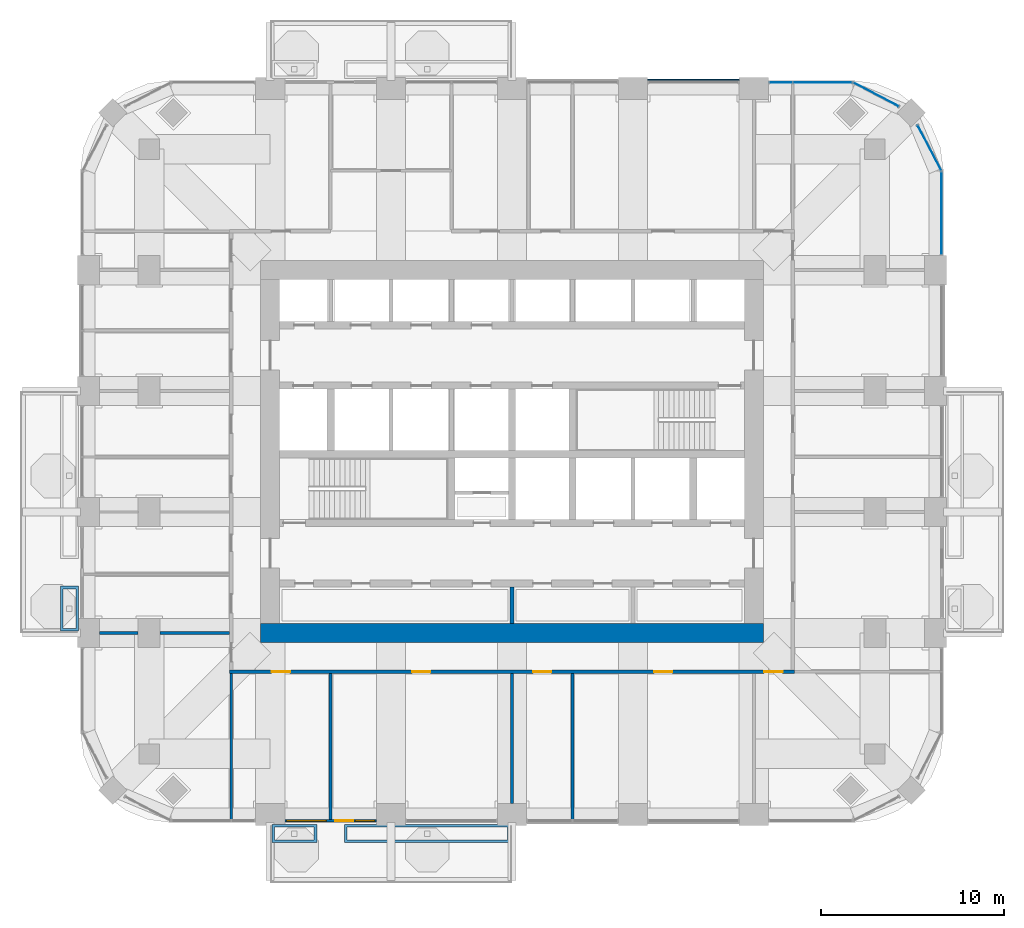
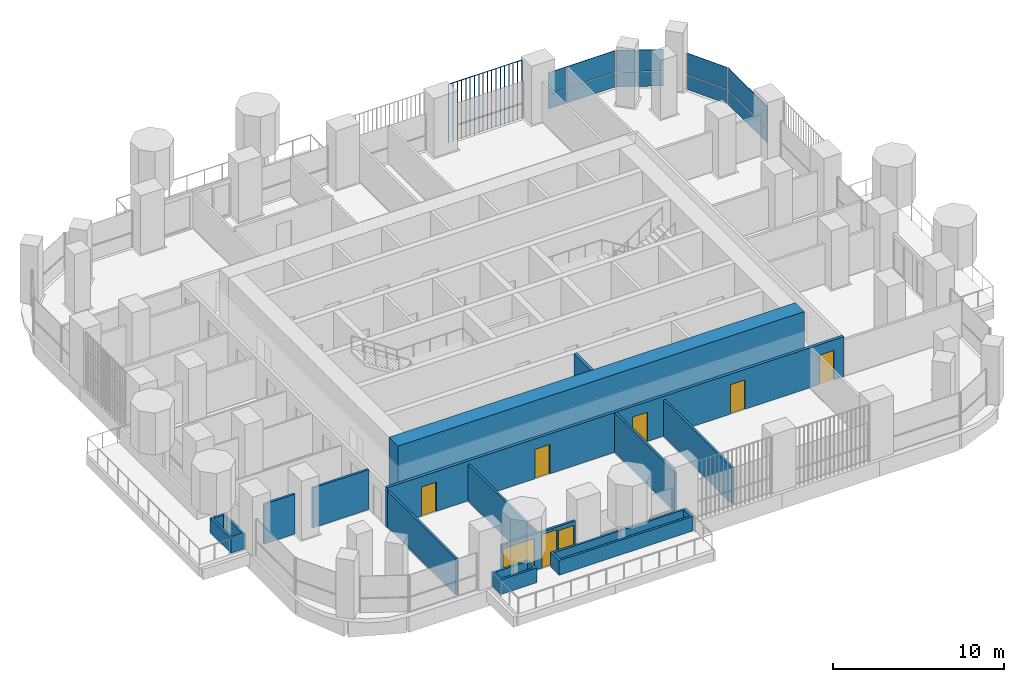
# One storey, part 11 of 20: 13 walls, 11 plates, 6 doors, 2 windows, 8 openings, 4 elements without a shape of their own.
"""IFC4 building model written with IfcOpenShell, lengths in metres."""

from ifc_helpers import new_model, si_unit, direction, frame, frame_2d, origin, origin_2d, place, context, subcontext, project, spatial, polyline, rectangle, outline, extrude, material, layer, layer_set, type_object, element, fill, aggregate, save


model = new_model("IFC4")

# Units and contexts
model_context = context("Model", 3, precision=1e-05, world=origin(), true_north=direction((0.0, 1.0)))
body_context = subcontext(model_context, "Body", "Model", "MODEL_VIEW")
ifc_project = project(units=[si_unit("LENGTHUNIT", "METRE"), si_unit("AREAUNIT", "SQUARE_METRE"), si_unit("VOLUMEUNIT", "CUBIC_METRE"), si_unit("PLANEANGLEUNIT", "RADIAN"), si_unit("MASSUNIT", "GRAM", prefix="KILO")], contexts=[model_context])

# Site, building, storey
site_placement = place(None, origin())
site = spatial("IfcSite", under=ifc_project, at=site_placement, CompositionType="ELEMENT")
building_placement = place(site_placement, origin())
building = spatial("IfcBuilding", under=site, at=building_placement, Name="Cobogo Forest Laboratory Tower", CompositionType="ELEMENT")
storey_placement = place(building_placement, frame((0.0, 0.0, 210.300048828125)))
storey = spatial("IfcBuildingStorey", under=building, at=storey_placement, Name="L48", CompositionType="ELEMENT", Elevation=210.300048828125)

# Curtain wall, plates
ifc_material_1 = material(Name="Aluminium curtain wall", Category="aluminium")
curtain_wall_type = type_object("IfcCurtainWallType", Name="CW-2 unitised curtain wall, solar control glazing, laboratory floors zones C and D", PredefinedType="USERDEFINED", material=ifc_material_1)
curtain_wall_1_placement = place(storey_placement, origin())
curtain_wall_1 = element("IfcCurtainWall", 1, at=curtain_wall_1_placement, inside=storey, type_object=curtain_wall_type, Name="Curtain wall 13 L48", ObjectType="UNITISED CURTAIN WALL", PredefinedType="USERDEFINED")
ifc_material_2 = material(Name="Solar control insulated glass", Category="glass")
ifc_layer_1 = layer(ifc_material_2, 0.031982421875)
ifc_layer_set_1 = layer_set([ifc_layer_1], Name="GP-2 solar control glass unit 32")
plate_type_1 = type_object("IfcPlateType", Name="GP-2 solar control glass unit 32", PredefinedType="CURTAIN_PANEL", material=ifc_layer_set_1)
plate_1_placement = place(storey_placement, frame((49.85009765625, 36.10009765625, 0.0), z_axis=(0.0, 0.0, 1.0), x_axis=(0.0, 1.0, 0.0)))
plate_1 = element("IfcPlate", 2, at=plate_1_placement, type_object=plate_type_1, Name="CW-2 panel 1.1", PredefinedType="CURTAIN_PANEL", context=body_context, shape_type="SweptSolid", body=[
    extrude(rectangle(XDim=4.47998046875, YDim=0.031982421875, at=origin_2d()), origin(), (0.0, 0.0, 1.0), 1.02001953125),
])
plate_2_placement = place(storey_placement, frame((49.85009765625, 36.10009765625, 1.079833984375), z_axis=(0.0, 0.0, 1.0), x_axis=(0.0, 1.0, 0.0)))
plate_2 = element("IfcPlate", 3, at=plate_2_placement, type_object=plate_type_1, Name="CW-2 panel 1.2", PredefinedType="CURTAIN_PANEL", context=body_context, shape_type="SweptSolid", body=[
    extrude(rectangle(XDim=4.47998046875, YDim=0.031982421875, at=origin_2d()), origin(), (0.0, 0.0, 1.0), 1.52001953125),
])
aggregate(curtain_wall_1, [plate_1, plate_2])

curtain_wall_2_placement = place(storey_placement, origin())
curtain_wall_2 = element("IfcCurtainWall", 4, at=curtain_wall_2_placement, inside=storey, type_object=curtain_wall_type, Name="Curtain wall 14 L48", ObjectType="UNITISED CURTAIN WALL", PredefinedType="USERDEFINED")
plate_3_placement = place(storey_placement, frame((49.181396484375, 39.675537109375, 0.0), z_axis=(0.0, 0.0, 1.0), x_axis=(-0.464283804832, 0.885686484356, 0.0)))
plate_3 = element("IfcPlate", 5, at=plate_3_placement, type_object=plate_type_1, Name="CW-2 panel 1.1", PredefinedType="CURTAIN_PANEL", context=body_context, shape_type="SweptSolid", body=[
    extrude(rectangle(XDim=2.76025390625, YDim=0.031982421875, at=origin_2d()), origin(), (0.0, 0.0, 1.0), 1.02001953125),
])
plate_4_placement = place(storey_placement, frame((49.181396484375, 39.675537109375, 1.079833984375), z_axis=(0.0, 0.0, 1.0), x_axis=(-0.464283804832, 0.885686484356, 0.0)))
plate_4 = element("IfcPlate", 6, at=plate_4_placement, type_object=plate_type_1, Name="CW-2 panel 1.2", PredefinedType="CURTAIN_PANEL", context=body_context, shape_type="SweptSolid", body=[
    extrude(rectangle(XDim=2.76025390625, YDim=0.031982421875, at=origin_2d()), origin(), (0.0, 0.0, 1.0), 1.52001953125),
])
aggregate(curtain_wall_2, [plate_3, plate_4])

curtain_wall_3_placement = place(storey_placement, origin())
curtain_wall_3 = element("IfcCurtainWall", 7, at=curtain_wall_3_placement, inside=storey, type_object=curtain_wall_type, Name="Curtain wall 15 L48", ObjectType="UNITISED CURTAIN WALL", PredefinedType="USERDEFINED")
plate_5_placement = place(storey_placement, frame((46.275634765625, 42.581298828125, 0.0), z_axis=(0.0, 0.0, 1.0), x_axis=(-0.885686484356, 0.464283804832, 0.0)))
plate_5 = element("IfcPlate", 8, at=plate_5_placement, type_object=plate_type_1, Name="CW-2 panel 1.1", PredefinedType="CURTAIN_PANEL", context=body_context, shape_type="SweptSolid", body=[
    extrude(rectangle(XDim=2.76025390625, YDim=0.031982421875, at=origin_2d()), origin(), (0.0, 0.0, 1.0), 1.02001953125),
])
plate_6_placement = place(storey_placement, frame((46.275634765625, 42.581298828125, 1.079833984375), z_axis=(0.0, 0.0, 1.0), x_axis=(-0.885686484356, 0.464283804832, 0.0)))
plate_6 = element("IfcPlate", 9, at=plate_6_placement, type_object=plate_type_1, Name="CW-2 panel 1.2", PredefinedType="CURTAIN_PANEL", context=body_context, shape_type="SweptSolid", body=[
    extrude(rectangle(XDim=2.76025390625, YDim=0.031982421875, at=origin_2d()), origin(), (0.0, 0.0, 1.0), 1.52001953125),
])
aggregate(curtain_wall_3, [plate_5, plate_6])

curtain_wall_4_placement = place(storey_placement, origin())
curtain_wall_4 = element("IfcCurtainWall", 10, at=curtain_wall_4_placement, inside=storey, type_object=curtain_wall_type, Name="Curtain wall 16 L48", ObjectType="UNITISED CURTAIN WALL", PredefinedType="USERDEFINED")
plate_7_placement = place(storey_placement, frame((43.347412109375, 43.25, 0.0), z_axis=(0.0, 0.0, 1.0), x_axis=(-1.0, 0.0, 0.0)))
plate_7 = element("IfcPlate", 11, at=plate_7_placement, type_object=plate_type_1, Name="CW-2 panel 1.1", PredefinedType="CURTAIN_PANEL", context=body_context, shape_type="SweptSolid", body=[
    extrude(rectangle(XDim=3.18505859375, YDim=0.031982421875, at=origin_2d()), origin(), (0.0, 0.0, 1.0), 1.02001953125),
])
plate_8_placement = place(storey_placement, frame((43.347412109375, 43.25, 1.079833984375), z_axis=(0.0, 0.0, 1.0), x_axis=(-1.0, 0.0, 0.0)))
plate_8 = element("IfcPlate", 12, at=plate_8_placement, type_object=plate_type_1, Name="CW-2 panel 1.2", PredefinedType="CURTAIN_PANEL", context=body_context, shape_type="SweptSolid", body=[
    extrude(rectangle(XDim=3.18505859375, YDim=0.031982421875, at=origin_2d()), origin(), (0.0, 0.0, 1.0), 1.52001953125),
])
plate_9_placement = place(storey_placement, frame((41.077392578125, 43.25, 0.0), z_axis=(0.0, 0.0, 1.0), x_axis=(-1.0, 0.0, 0.0)))
plate_9 = element("IfcPlate", 13, at=plate_9_placement, type_object=plate_type_1, Name="CW-2 panel 2.1", PredefinedType="CURTAIN_PANEL", context=body_context, shape_type="SweptSolid", body=[
    extrude(rectangle(XDim=1.235107421875, YDim=0.031982421875, at=origin_2d()), origin(), (0.0, 0.0, 1.0), 1.02001953125),
])
plate_10_placement = place(storey_placement, frame((41.077392578125, 43.25, 1.079833984375), z_axis=(0.0, 0.0, 1.0), x_axis=(-1.0, 0.0, 0.0)))
plate_10 = element("IfcPlate", 14, at=plate_10_placement, type_object=plate_type_1, Name="CW-2 panel 2.2", PredefinedType="CURTAIN_PANEL", context=body_context, shape_type="SweptSolid", body=[
    extrude(rectangle(XDim=1.235107421875, YDim=0.031982421875, at=origin_2d()), origin(), (0.0, 0.0, 1.0), 1.52001953125),
])
aggregate(curtain_wall_4, [plate_7, plate_8, plate_9, plate_10])

# Plate
ifc_material_3 = material(Name="Terracotta", Category="masonry")
plate_type_2 = type_object("IfcPlateType", Name="TB1 terracotta baguette screen", PredefinedType="USERDEFINED", material=ifc_material_3)
plate_11_placement = place(storey_placement, frame((33.831298828125, 43.3779296875, -0.150146484375)))
element("IfcPlate", 15, at=plate_11_placement, inside=storey, type_object=plate_type_2, Name="Baguette screen N4 L48", ObjectType="BAGUETTE SCREEN", PredefinedType="USERDEFINED", context=body_context, shape_type="SweptSolid", body=[
    extrude(outline(polyline([(0.02880859375, 0.011962890625), (0.011962890625, 0.02880859375), (-0.011962890625, 0.02880859375), (-0.02880859375, 0.011962890625), (-0.02880859375, -0.011962890625), (-0.011962890625, -0.02880859375), (0.011962890625, -0.02880859375), (0.02880859375, -0.011962890625), (0.02880859375, 0.011962890625)])), frame((0.0, 0.0, 4.168701171875), z_axis=(1.0, 0.0, 0.0), x_axis=(0.0, 1.0, 0.0)), (0.0, 0.0, 1.0), 4.9375),
    extrude(outline(polyline([(0.02880859375, 0.011962890625), (0.011962890625, 0.02880859375), (-0.011962890625, 0.02880859375), (-0.02880859375, 0.011962890625), (-0.02880859375, -0.011962890625), (-0.011962890625, -0.02880859375), (0.011962890625, -0.02880859375), (0.02880859375, -0.011962890625), (0.02880859375, 0.011962890625)])), origin(), (0.0, 0.0, 1.0), 4.137451171875),
    extrude(outline(polyline([(0.02880859375, 0.011962890625), (0.011962890625, 0.02880859375), (-0.011962890625, 0.02880859375), (-0.02880859375, 0.011962890625), (-0.02880859375, -0.011962890625), (-0.011962890625, -0.02880859375), (0.011962890625, -0.02880859375), (0.02880859375, -0.011962890625), (0.02880859375, 0.011962890625)])), frame((0.29052734375, 0.0, 0.0)), (0.0, 0.0, 1.0), 4.137451171875),
    extrude(outline(polyline([(0.02880859375, 0.011962890625), (0.011962890625, 0.02880859375), (-0.011962890625, 0.02880859375), (-0.02880859375, 0.011962890625), (-0.02880859375, -0.011962890625), (-0.011962890625, -0.02880859375), (0.011962890625, -0.02880859375), (0.02880859375, -0.011962890625), (0.02880859375, 0.011962890625)])), frame((0.580810546875, 0.0, 0.0)), (0.0, 0.0, 1.0), 4.137451171875),
    extrude(outline(polyline([(0.02880859375, 0.011962890625), (0.011962890625, 0.02880859375), (-0.011962890625, 0.02880859375), (-0.02880859375, 0.011962890625), (-0.02880859375, -0.011962890625), (-0.011962890625, -0.02880859375), (0.011962890625, -0.02880859375), (0.02880859375, -0.011962890625), (0.02880859375, 0.011962890625)])), frame((0.871337890625, 0.0, 0.0)), (0.0, 0.0, 1.0), 4.137451171875),
    extrude(outline(polyline([(0.02880859375, 0.011962890625), (0.011962890625, 0.02880859375), (-0.011962890625, 0.02880859375), (-0.02880859375, 0.011962890625), (-0.02880859375, -0.011962890625), (-0.011962890625, -0.02880859375), (0.011962890625, -0.02880859375), (0.02880859375, -0.011962890625), (0.02880859375, 0.011962890625)])), frame((1.161865234375, 0.0, 0.0)), (0.0, 0.0, 1.0), 4.137451171875),
    extrude(outline(polyline([(0.02880859375, 0.011962890625), (0.011962890625, 0.02880859375), (-0.011962890625, 0.02880859375), (-0.02880859375, 0.011962890625), (-0.02880859375, -0.011962890625), (-0.011962890625, -0.02880859375), (0.011962890625, -0.02880859375), (0.02880859375, -0.011962890625), (0.02880859375, 0.011962890625)])), frame((1.4521484375, 0.0, 0.0)), (0.0, 0.0, 1.0), 4.137451171875),
    extrude(outline(polyline([(0.02880859375, 0.011962890625), (0.011962890625, 0.02880859375), (-0.011962890625, 0.02880859375), (-0.02880859375, 0.011962890625), (-0.02880859375, -0.011962890625), (-0.011962890625, -0.02880859375), (0.011962890625, -0.02880859375), (0.02880859375, -0.011962890625), (0.02880859375, 0.011962890625)])), frame((1.74267578125, 0.0, 0.0)), (0.0, 0.0, 1.0), 4.137451171875),
    extrude(outline(polyline([(0.02880859375, 0.011962890625), (0.011962890625, 0.02880859375), (-0.011962890625, 0.02880859375), (-0.02880859375, 0.011962890625), (-0.02880859375, -0.011962890625), (-0.011962890625, -0.02880859375), (0.011962890625, -0.02880859375), (0.02880859375, -0.011962890625), (0.02880859375, 0.011962890625)])), frame((2.033203125, 0.0, 0.0)), (0.0, 0.0, 1.0), 4.137451171875),
    extrude(outline(polyline([(0.02880859375, 0.011962890625), (0.011962890625, 0.02880859375), (-0.011962890625, 0.02880859375), (-0.02880859375, 0.011962890625), (-0.02880859375, -0.011962890625), (-0.011962890625, -0.02880859375), (0.011962890625, -0.02880859375), (0.02880859375, -0.011962890625), (0.02880859375, 0.011962890625)])), frame((2.323486328125, 0.0, 0.0)), (0.0, 0.0, 1.0), 4.137451171875),
    extrude(outline(polyline([(0.02880859375, 0.011962890625), (0.011962890625, 0.02880859375), (-0.011962890625, 0.02880859375), (-0.02880859375, 0.011962890625), (-0.02880859375, -0.011962890625), (-0.011962890625, -0.02880859375), (0.011962890625, -0.02880859375), (0.02880859375, -0.011962890625), (0.02880859375, 0.011962890625)])), frame((2.614013671875, 0.0, 0.0)), (0.0, 0.0, 1.0), 4.137451171875),
    extrude(outline(polyline([(0.02880859375, 0.011962890625), (0.011962890625, 0.02880859375), (-0.011962890625, 0.02880859375), (-0.02880859375, 0.011962890625), (-0.02880859375, -0.011962890625), (-0.011962890625, -0.02880859375), (0.011962890625, -0.02880859375), (0.02880859375, -0.011962890625), (0.02880859375, 0.011962890625)])), frame((2.904296875, 0.0, 0.0)), (0.0, 0.0, 1.0), 4.137451171875),
    extrude(outline(polyline([(0.02880859375, 0.011962890625), (0.011962890625, 0.02880859375), (-0.011962890625, 0.02880859375), (-0.02880859375, 0.011962890625), (-0.02880859375, -0.011962890625), (-0.011962890625, -0.02880859375), (0.011962890625, -0.02880859375), (0.02880859375, -0.011962890625), (0.02880859375, 0.011962890625)])), frame((3.19482421875, 0.0, 0.0)), (0.0, 0.0, 1.0), 4.137451171875),
    extrude(outline(polyline([(0.02880859375, 0.011962890625), (0.011962890625, 0.02880859375), (-0.011962890625, 0.02880859375), (-0.02880859375, 0.011962890625), (-0.02880859375, -0.011962890625), (-0.011962890625, -0.02880859375), (0.011962890625, -0.02880859375), (0.02880859375, -0.011962890625), (0.02880859375, 0.011962890625)])), frame((3.4853515625, 0.0, 0.0)), (0.0, 0.0, 1.0), 4.137451171875),
    extrude(outline(polyline([(0.02880859375, 0.011962890625), (0.011962890625, 0.02880859375), (-0.011962890625, 0.02880859375), (-0.02880859375, 0.011962890625), (-0.02880859375, -0.011962890625), (-0.011962890625, -0.02880859375), (0.011962890625, -0.02880859375), (0.02880859375, -0.011962890625), (0.02880859375, 0.011962890625)])), frame((3.775634765625, 0.0, 0.0)), (0.0, 0.0, 1.0), 4.137451171875),
    extrude(outline(polyline([(0.02880859375, 0.011962890625), (0.011962890625, 0.02880859375), (-0.011962890625, 0.02880859375), (-0.02880859375, 0.011962890625), (-0.02880859375, -0.011962890625), (-0.011962890625, -0.02880859375), (0.011962890625, -0.02880859375), (0.02880859375, -0.011962890625), (0.02880859375, 0.011962890625)])), frame((4.066162109375, 0.0, 0.0)), (0.0, 0.0, 1.0), 4.137451171875),
    extrude(outline(polyline([(0.02880859375, 0.011962890625), (0.011962890625, 0.02880859375), (-0.011962890625, 0.02880859375), (-0.02880859375, 0.011962890625), (-0.02880859375, -0.011962890625), (-0.011962890625, -0.02880859375), (0.011962890625, -0.02880859375), (0.02880859375, -0.011962890625), (0.02880859375, 0.011962890625)])), frame((4.356689453125, 0.0, 0.0)), (0.0, 0.0, 1.0), 4.137451171875),
    extrude(outline(polyline([(0.02880859375, 0.011962890625), (0.011962890625, 0.02880859375), (-0.011962890625, 0.02880859375), (-0.02880859375, 0.011962890625), (-0.02880859375, -0.011962890625), (-0.011962890625, -0.02880859375), (0.011962890625, -0.02880859375), (0.02880859375, -0.011962890625), (0.02880859375, 0.011962890625)])), frame((4.64697265625, 0.0, 0.0)), (0.0, 0.0, 1.0), 4.137451171875),
    extrude(outline(polyline([(0.02880859375, 0.011962890625), (0.011962890625, 0.02880859375), (-0.011962890625, 0.02880859375), (-0.02880859375, 0.011962890625), (-0.02880859375, -0.011962890625), (-0.011962890625, -0.02880859375), (0.011962890625, -0.02880859375), (0.02880859375, -0.011962890625), (0.02880859375, 0.011962890625)])), frame((4.9375, 0.0, 0.0)), (0.0, 0.0, 1.0), 4.137451171875),
])

# Wall
ifc_material_4 = material(Name="Concrete HA-50 (C50/60)", Category="concrete")
ifc_layer_2 = layer(ifc_material_4, 1.050048828125)
ifc_layer_set_2 = layer_set([ifc_layer_2], Name="CW1050 core outer wall 1050")
wall_type_1 = type_object("IfcWallType", Name="CW1050 core outer wall 1050", PredefinedType="SHEAR", material=ifc_layer_set_2)
wall_1_placement = place(storey_placement, frame((12.675048828125, 13.199951171875, 0.0), z_axis=(0.0, 0.0, 1.0), x_axis=(1.0, 0.0, 0.0)))
element("IfcWall", 16, at=wall_1_placement, inside=storey, type_object=wall_type_1, Name="Core wall CO-S L48", PredefinedType="SHEAR", context=body_context, shape_type="SweptSolid", body=[
    extrude(rectangle(XDim=27.449951171875, YDim=1.050048828125, at=frame_2d((13.72509765625, 0.0))), origin(), (0.0, 0.0, 1.0), 4.199951171875),
])

# Wall, openings, door, windows
ifc_material_5 = material(Name="Aluminium framed glazed screen", Category="aluminium")
ifc_layer_3 = layer(ifc_material_5, 0.14990234375)
ifc_layer_set_3 = layer_set([ifc_layer_3], Name="GS1 glazed door screen 150")
wall_type_2 = type_object("IfcWallType", Name="GS1 glazed door screen 150", PredefinedType="SOLIDWALL", material=ifc_layer_set_3)
wall_2_placement = place(storey_placement, frame((14.0, 2.949951171875, 0.0), z_axis=(0.0, 0.0, 1.0), x_axis=(1.0, 0.0, 0.0)))
wall_2 = element("IfcWall", 17, at=wall_2_placement, inside=storey, type_object=wall_type_2, Name="Door screen BAL-S1 L48", PredefinedType="SOLIDWALL", context=body_context, shape_type="SweptSolid", body=[
    extrude(rectangle(XDim=5.0, YDim=0.14990234375, at=frame_2d((2.5, 0.0))), origin(), (0.0, 0.0, 1.0), 2.599853515625),
])
opening_1_placement = place(wall_2_placement, frame((2.75, 0.0, 0.0)))
opening_1 = element("IfcOpeningElement", 18, at=opening_1_placement, cuts=wall_2, Name="Opening L48-D01", PredefinedType="OPENING", context=body_context, shape_type="SweptSolid", body=[
    extrude(rectangle(XDim=1.0, YDim=2.39990234375, at=frame_2d((0.5, 1.199951171875))), frame((0.0, 0.0849609375, 0.0), z_axis=(0.0, -1.0, 0.0), x_axis=(1.0, 0.0, 0.0)), (0.0, 0.0, 1.0), 0.169921875),
])
opening_2_placement = place(wall_2_placement, frame((0.10009765625, 0.0, 0.10009765625)))
opening_2 = element("IfcOpeningElement", 19, at=opening_2_placement, cuts=wall_2, Name="Opening L48-W01", PredefinedType="OPENING", context=body_context, shape_type="SweptSolid", body=[
    extrude(rectangle(XDim=2.14990234375, YDim=2.199951171875, at=frame_2d((1.074951171875, 1.10009765625))), frame((0.0, 0.0849609375, 0.0), z_axis=(0.0, -1.0, 0.0), x_axis=(1.0, 0.0, 0.0)), (0.0, 0.0, 1.0), 0.169921875),
])
opening_3_placement = place(wall_2_placement, frame((3.85009765625, 0.0, 0.10009765625)))
opening_3 = element("IfcOpeningElement", 20, at=opening_3_placement, cuts=wall_2, Name="Opening L48-W02", PredefinedType="OPENING", context=body_context, shape_type="SweptSolid", body=[
    extrude(rectangle(XDim=1.050048828125, YDim=2.199951171875, at=frame_2d((0.52490234375, 1.10009765625))), frame((0.0, 0.0849609375, 0.0), z_axis=(0.0, -1.0, 0.0), x_axis=(1.0, 0.0, 0.0)), (0.0, 0.0, 1.0), 0.169921875),
])
ifc_material_6 = material(Name="Aluminium glazed door", Category="aluminium")
door_type_1 = type_object("IfcDoorType", Name="DB1 balcony door 1000 glazed", OperationType="SINGLE_SWING_LEFT", PredefinedType="DOOR", material=ifc_material_6)
door_1_placement = place(opening_1_placement, origin())
door_1 = element("IfcDoor", 21, at=door_1_placement, inside=storey, type_object=door_type_1, Name="Door L48-BAL-S1", OperationType="SINGLE_SWING_RIGHT", OverallHeight=2.39990234375, OverallWidth=1.0, PredefinedType="DOOR", context=body_context, shape_type="SweptSolid", body=[
    extrude(rectangle(XDim=1.0, YDim=2.39990234375, at=frame_2d((0.5, 1.199951171875))), frame((0.0, 0.02490234375, 0.0), z_axis=(0.0, -1.0, 0.0), x_axis=(1.0, 0.0, 0.0)), (0.0, 0.0, 1.0), 0.050048828125),
])
fill(opening_1, door_1)
ifc_material_7 = material(Name="Aluminium framed glazing", Category="aluminium")
window_type_1 = type_object("IfcWindowType", Name="WG17 fixed glazed light 2150x2200", PartitioningType="SINGLE_PANEL", PredefinedType="WINDOW", material=ifc_material_7)
window_1_placement = place(opening_2_placement, origin())
window_1 = element("IfcWindow", 22, at=window_1_placement, inside=storey, type_object=window_type_1, Name="Window L48-BAL-S1-1", OverallHeight=2.199951171875, OverallWidth=2.14990234375, PartitioningType="SINGLE_PANEL", PredefinedType="WINDOW", context=body_context, shape_type="SweptSolid", body=[
    extrude(rectangle(XDim=2.14990234375, YDim=2.199951171875, at=frame_2d((1.074951171875, 1.10009765625))), frame((0.0, 0.030029296875, 0.0), z_axis=(0.0, -1.0, 0.0), x_axis=(1.0, 0.0, 0.0)), (0.0, 0.0, 1.0), 0.06005859375),
])
fill(opening_2, window_1)
window_type_2 = type_object("IfcWindowType", Name="WG18 fixed glazed light 1050x2200", PartitioningType="SINGLE_PANEL", PredefinedType="WINDOW", material=ifc_material_7)
window_2_placement = place(opening_3_placement, origin())
window_2 = element("IfcWindow", 23, at=window_2_placement, inside=storey, type_object=window_type_2, Name="Window L48-BAL-S1-2", OverallHeight=2.199951171875, OverallWidth=1.050048828125, PartitioningType="SINGLE_PANEL", PredefinedType="WINDOW", context=body_context, shape_type="SweptSolid", body=[
    extrude(rectangle(XDim=1.050048828125, YDim=2.199951171875, at=frame_2d((0.52490234375, 1.10009765625))), frame((0.0, 0.030029296875, 0.0), z_axis=(0.0, -1.0, 0.0), x_axis=(1.0, 0.0, 0.0)), (0.0, 0.0, 1.0), 0.06005859375),
])
fill(opening_3, window_2)

# Walls
ifc_material_8 = material(Name="Gypsum board on steel studs", Category="steel")
ifc_layer_4 = layer(ifc_material_8, 0.14990234375)
ifc_layer_set_4 = layer_set([ifc_layer_4], Name="PT1 laboratory partition 150")
wall_type_3 = type_object("IfcWallType", Name="PT1 laboratory partition 150", PredefinedType="PARTITIONING", material=ifc_layer_set_4)
for number, where, z_axis, x_axis, name in (
    (24, (11.074951171875, 3.030029296875, 0.0), (0.0, 0.0, 1.0), (0.0, 1.0, 0.0), "Partition PW-SW L48"),
    (25, (16.5, 3.030029296875, 0.0), (0.0, 0.0, 1.0), (0.0, 1.0, 0.0), "Partition CUT-S16.5-1 L48"),
):
    element("IfcWall", number, at=place(storey_placement, frame(where, z_axis=z_axis, x_axis=x_axis)), inside=storey, type_object=wall_type_3, Name=name, PredefinedType="PARTITIONING", context=body_context, shape_type="SweptSolid", body=[
        extrude(rectangle(XDim=7.945068359375, YDim=0.14990234375, at=frame_2d((3.97265625, 0.0))), origin(), (0.0, 0.0, 1.0), 2.599853515625),
    ])
wall_3_placement = place(storey_placement, frame((26.39990234375, 3.89990234375, 0.0), z_axis=(0.0, 0.0, 1.0), x_axis=(0.0, 1.0, 0.0)))
element("IfcWall", 26, at=wall_3_placement, inside=storey, type_object=wall_type_3, Name="Partition CUT-S26.4-1 L48", PredefinedType="PARTITIONING", context=body_context, shape_type="SweptSolid", body=[
    extrude(rectangle(XDim=7.0751953125, YDim=0.14990234375, at=frame_2d((3.53759765625, 0.0))), origin(), (0.0, 0.0, 1.0), 2.849853515625),
])
wall_4_placement = place(storey_placement, frame((29.699951171875, 3.030029296875, 0.0), z_axis=(0.0, 0.0, 1.0), x_axis=(0.0, 1.0, 0.0)))
element("IfcWall", 27, at=wall_4_placement, inside=storey, type_object=wall_type_3, Name="Partition CUT-S29.7-1 L48", PredefinedType="PARTITIONING", context=body_context, shape_type="SweptSolid", body=[
    extrude(rectangle(XDim=7.945068359375, YDim=0.14990234375, at=frame_2d((3.97265625, 0.0))), origin(), (0.0, 0.0, 1.0), 2.599853515625),
])
wall_5_placement = place(storey_placement, frame((3.89990234375, 13.199951171875, 0.0), z_axis=(0.0, 0.0, 1.0), x_axis=(1.0, 0.0, 0.0)))
element("IfcWall", 28, at=wall_5_placement, inside=storey, type_object=wall_type_3, Name="Partition CUT-W13.2-1 L48", PredefinedType="PARTITIONING", context=body_context, shape_type="SweptSolid", body=[
    extrude(rectangle(XDim=2.10009765625, YDim=0.14990234375, at=frame_2d((1.050048828125, 0.0))), origin(), (0.0, 0.0, 1.0), 2.849853515625),
])
wall_6_placement = place(storey_placement, frame((7.199951171875, 13.199951171875, 0.0), z_axis=(0.0, 0.0, 1.0), x_axis=(1.0, 0.0, 0.0)))
element("IfcWall", 29, at=wall_6_placement, inside=storey, type_object=wall_type_3, Name="Partition CUT-W13.2-2 L48", PredefinedType="PARTITIONING", context=body_context, shape_type="SweptSolid", body=[
    extrude(rectangle(XDim=3.775146484375, YDim=0.14990234375, at=frame_2d((1.8876953125, 0.0))), origin(), (0.0, 0.0, 1.0), 2.849853515625),
])

# Wall, openings, doors
ifc_layer_5 = layer(ifc_material_8, 0.199951171875)
ifc_layer_set_5 = layer_set([ifc_layer_5], Name="PT2 fire-rated corridor partition 200")
wall_type_4 = type_object("IfcWallType", Name="PT2 fire-rated corridor partition 200", PredefinedType="PARTITIONING", material=ifc_layer_set_5)
wall_7_placement = place(storey_placement, frame((10.97509765625, 11.074951171875, 0.0), z_axis=(0.0, 0.0, 1.0), x_axis=(1.0, 0.0, 0.0)))
wall_7 = element("IfcWall", 30, at=wall_7_placement, inside=storey, type_object=wall_type_4, Name="Partition CORR-S L48", PredefinedType="PARTITIONING", context=body_context, shape_type="SweptSolid", body=[
    extrude(rectangle(XDim=30.849853515625, YDim=0.199951171875, at=frame_2d((15.4248046875, 0.0))), origin(), (0.0, 0.0, 1.0), 2.849853515625),
])
opening_4_placement = place(wall_7_placement, frame((2.3125, 0.0, 0.0)))
opening_4 = element("IfcOpeningElement", 31, at=opening_4_placement, cuts=wall_7, Name="Opening L48-D02", PredefinedType="OPENING", context=body_context, shape_type="SweptSolid", body=[
    extrude(rectangle(XDim=1.0, YDim=2.10009765625, at=frame_2d((0.5, 1.050048828125))), frame((0.0, 0.10986328125, 0.0), z_axis=(0.0, -1.0, 0.0), x_axis=(1.0, 0.0, 0.0)), (0.0, 0.0, 1.0), 0.219970703125),
])
opening_5_placement = place(wall_7_placement, frame((9.97509765625, 0.0, 0.0)))
opening_5 = element("IfcOpeningElement", 32, at=opening_5_placement, cuts=wall_7, Name="Opening L48-D03", PredefinedType="OPENING", context=body_context, shape_type="SweptSolid", body=[
    extrude(rectangle(XDim=1.0, YDim=2.10009765625, at=frame_2d((0.5, 1.050048828125))), frame((0.0, 0.10986328125, 0.0), z_axis=(0.0, -1.0, 0.0), x_axis=(1.0, 0.0, 0.0)), (0.0, 0.0, 1.0), 0.219970703125),
])
opening_6_placement = place(wall_7_placement, frame((16.574951171875, 0.0, 0.0)))
opening_6 = element("IfcOpeningElement", 33, at=opening_6_placement, cuts=wall_7, Name="Opening L48-D04", PredefinedType="OPENING", context=body_context, shape_type="SweptSolid", body=[
    extrude(rectangle(XDim=1.0, YDim=2.10009765625, at=frame_2d((0.5, 1.050048828125))), frame((0.0, 0.10986328125, 0.0), z_axis=(0.0, -1.0, 0.0), x_axis=(1.0, 0.0, 0.0)), (0.0, 0.0, 1.0), 0.219970703125),
])
opening_7_placement = place(wall_7_placement, frame((23.175048828125, 0.0, 0.0)))
opening_7 = element("IfcOpeningElement", 34, at=opening_7_placement, cuts=wall_7, Name="Opening L48-D05", PredefinedType="OPENING", context=body_context, shape_type="SweptSolid", body=[
    extrude(rectangle(XDim=1.0, YDim=2.10009765625, at=frame_2d((0.5, 1.050048828125))), frame((0.0, 0.10986328125, 0.0), z_axis=(0.0, -1.0, 0.0), x_axis=(1.0, 0.0, 0.0)), (0.0, 0.0, 1.0), 0.219970703125),
])
opening_8_placement = place(wall_7_placement, frame((29.1875, 0.0, 0.0)))
opening_8 = element("IfcOpeningElement", 35, at=opening_8_placement, cuts=wall_7, Name="Opening L48-D06", PredefinedType="OPENING", context=body_context, shape_type="SweptSolid", body=[
    extrude(rectangle(XDim=1.0, YDim=2.10009765625, at=frame_2d((0.5, 1.050048828125))), frame((0.0, 0.10986328125, 0.0), z_axis=(0.0, -1.0, 0.0), x_axis=(1.0, 0.0, 0.0)), (0.0, 0.0, 1.0), 0.219970703125),
])
ifc_material_9 = material(Name="Timber fire door", Category="wood")
door_type_2 = type_object("IfcDoorType", Name="FD2 fire door 1000 EI2 30", OperationType="SINGLE_SWING_LEFT", PredefinedType="DOOR", material=ifc_material_9)
door_2_placement = place(opening_4_placement, origin())
door_2 = element("IfcDoor", 36, at=door_2_placement, inside=storey, type_object=door_type_2, Name="Door L48-S1", OperationType="SINGLE_SWING_LEFT", OverallHeight=2.10009765625, OverallWidth=1.0, PredefinedType="DOOR", context=body_context, shape_type="SweptSolid", body=[
    extrude(rectangle(XDim=1.0, YDim=2.10009765625, at=frame_2d((0.5, 1.050048828125))), frame((0.0, 0.02490234375, 0.0), z_axis=(0.0, -1.0, 0.0), x_axis=(1.0, 0.0, 0.0)), (0.0, 0.0, 1.0), 0.050048828125),
])
fill(opening_4, door_2)
door_3_placement = place(opening_5_placement, origin())
door_3 = element("IfcDoor", 37, at=door_3_placement, inside=storey, type_object=door_type_2, Name="Door L48-S2", OperationType="SINGLE_SWING_LEFT", OverallHeight=2.10009765625, OverallWidth=1.0, PredefinedType="DOOR", context=body_context, shape_type="SweptSolid", body=[
    extrude(rectangle(XDim=1.0, YDim=2.10009765625, at=frame_2d((0.5, 1.050048828125))), frame((0.0, 0.02490234375, 0.0), z_axis=(0.0, -1.0, 0.0), x_axis=(1.0, 0.0, 0.0)), (0.0, 0.0, 1.0), 0.050048828125),
])
fill(opening_5, door_3)
door_4_placement = place(opening_6_placement, origin())
door_4 = element("IfcDoor", 38, at=door_4_placement, inside=storey, type_object=door_type_2, Name="Door L48-S3", OperationType="SINGLE_SWING_RIGHT", OverallHeight=2.10009765625, OverallWidth=1.0, PredefinedType="DOOR", context=body_context, shape_type="SweptSolid", body=[
    extrude(rectangle(XDim=1.0, YDim=2.10009765625, at=frame_2d((0.5, 1.050048828125))), frame((0.0, 0.02490234375, 0.0), z_axis=(0.0, -1.0, 0.0), x_axis=(1.0, 0.0, 0.0)), (0.0, 0.0, 1.0), 0.050048828125),
])
fill(opening_6, door_4)
door_5_placement = place(opening_7_placement, origin())
door_5 = element("IfcDoor", 39, at=door_5_placement, inside=storey, type_object=door_type_2, Name="Door L48-S4", OperationType="SINGLE_SWING_RIGHT", OverallHeight=2.10009765625, OverallWidth=1.0, PredefinedType="DOOR", context=body_context, shape_type="SweptSolid", body=[
    extrude(rectangle(XDim=1.0, YDim=2.10009765625, at=frame_2d((0.5, 1.050048828125))), frame((0.0, 0.02490234375, 0.0), z_axis=(0.0, -1.0, 0.0), x_axis=(1.0, 0.0, 0.0)), (0.0, 0.0, 1.0), 0.050048828125),
])
fill(opening_7, door_5)
door_6_placement = place(opening_8_placement, origin())
door_6 = element("IfcDoor", 40, at=door_6_placement, inside=storey, type_object=door_type_2, Name="Door L48-S5", OperationType="SINGLE_SWING_RIGHT", OverallHeight=2.10009765625, OverallWidth=1.0, PredefinedType="DOOR", context=body_context, shape_type="SweptSolid", body=[
    extrude(rectangle(XDim=1.0, YDim=2.10009765625, at=frame_2d((0.5, 1.050048828125))), frame((0.0, 0.02490234375, 0.0), z_axis=(0.0, -1.0, 0.0), x_axis=(1.0, 0.0, 0.0)), (0.0, 0.0, 1.0), 0.050048828125),
])
fill(opening_8, door_6)

# Walls
ifc_material_10 = material(Name="Concrete HA-40 (C40/50)", Category="concrete")
ifc_layer_6 = layer(ifc_material_10, 0.14990234375)
ifc_layer_set_6 = layer_set([ifc_layer_6], Name="Planter box 1000x1050")
wall_type_5 = type_object("IfcWallType", Name="Planter box 1000x1050", PredefinedType="USERDEFINED", material=ifc_layer_set_6)
wall_8_placement = place(storey_placement, origin())
element("IfcWall", 41, at=wall_8_placement, inside=storey, type_object=wall_type_5, Name="Planter BAL-S1-1 L48", ObjectType="PLANTER", PredefinedType="USERDEFINED", context=body_context, shape_type="SweptSolid", body=[
    extrude(outline(polyline([(13.300048828125, 1.75), (15.75, 1.75), (15.75, 2.75), (13.300048828125, 2.75), (13.300048828125, 1.75)]), holes=[polyline([(13.449951171875, 1.89990234375), (15.60009765625, 1.89990234375), (15.60009765625, 2.60009765625), (13.449951171875, 2.60009765625), (13.449951171875, 1.89990234375)])]), origin(), (0.0, 0.0, 1.0), 1.050048828125),
])
wall_9_placement = place(storey_placement, origin())
element("IfcWall", 42, at=wall_9_placement, inside=storey, type_object=wall_type_5, Name="Planter BAL-S1-2 L48", ObjectType="PLANTER", PredefinedType="USERDEFINED", context=body_context, shape_type="SweptSolid", body=[
    extrude(outline(polyline([(17.25, 1.75), (26.300048828125, 1.75), (26.300048828125, 2.75), (17.25, 2.75), (17.25, 1.75)]), holes=[polyline([(17.39990234375, 1.89990234375), (26.14990234375, 1.89990234375), (26.14990234375, 2.60009765625), (17.39990234375, 2.60009765625), (17.39990234375, 1.89990234375)])]), origin(), (0.0, 0.0, 1.0), 1.050048828125),
])
wall_10_placement = place(storey_placement, origin())
element("IfcWall", 43, at=wall_10_placement, inside=storey, type_object=wall_type_5, Name="Planter BAL-W1-1 L48", ObjectType="PLANTER", PredefinedType="USERDEFINED", context=body_context, shape_type="SweptSolid", body=[
    extrude(outline(polyline([(1.75, 13.300048828125), (2.75, 13.300048828125), (2.75, 15.75), (1.75, 15.75), (1.75, 13.300048828125)]), holes=[polyline([(1.89990234375, 13.449951171875), (2.60009765625, 13.449951171875), (2.60009765625, 15.60009765625), (1.89990234375, 15.60009765625), (1.89990234375, 13.449951171875)])]), origin(), (0.0, 0.0, 1.0), 1.050048828125),
])
ifc_material_11 = material(Name="Concrete block", Category="concrete")
ifc_layer_7 = layer(ifc_material_11, 0.199951171875)
ifc_layer_set_7 = layer_set([ifc_layer_7], Name="SW200 lift shaft separator 200")
wall_type_6 = type_object("IfcWallType", Name="SW200 lift shaft separator 200", PredefinedType="PARTITIONING", material=ifc_layer_set_7)
wall_11_placement = place(storey_placement, frame((26.39990234375, 13.72509765625, 0.0), z_axis=(0.0, 0.0, 1.0), x_axis=(0.0, 1.0, 0.0)))
element("IfcWall", 44, at=wall_11_placement, inside=storey, type_object=wall_type_6, Name="Core wall SEP-S4 L48", PredefinedType="PARTITIONING", context=body_context, shape_type="SweptSolid", body=[
    extrude(rectangle(XDim=1.974853515625, YDim=0.199951171875, at=frame_2d((0.9873046875, 0.0))), origin(), (0.0, 0.0, 1.0), 4.199951171875),
])

save(model, "model.ifc")
